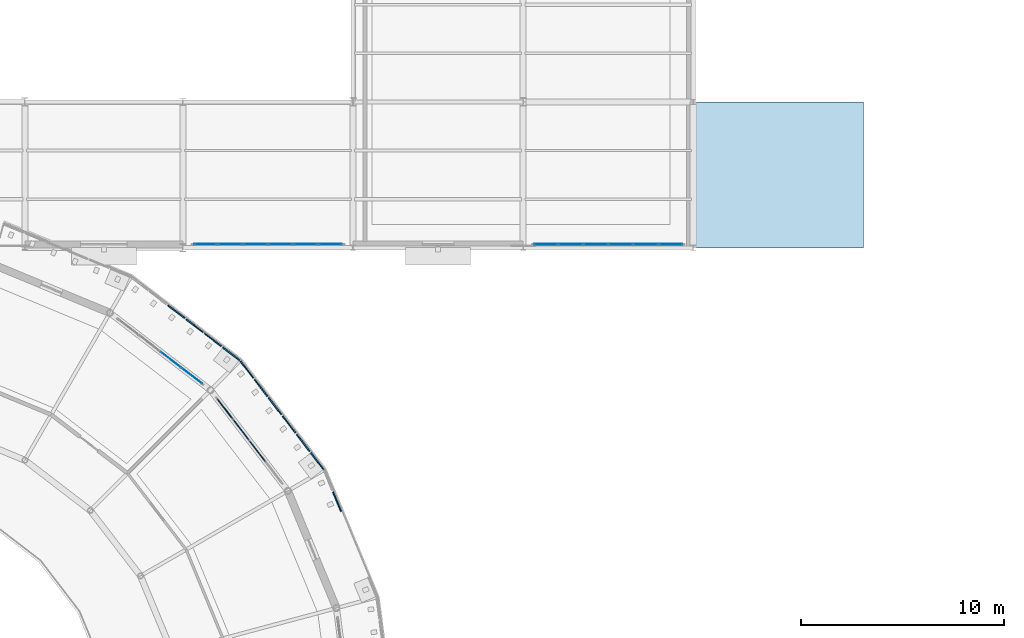
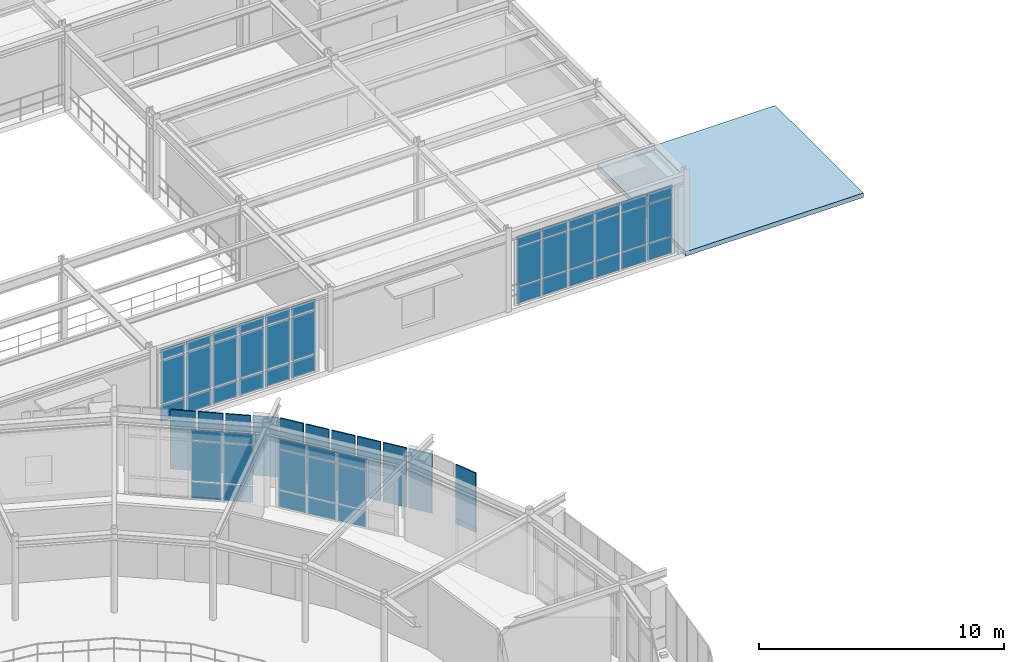
# One storey, part 65 of 90: 62 plates, 1 slab, 4 elements without a shape of their own.
"""IFC4 building model written with IfcOpenShell, lengths in metres."""

from ifc_helpers import new_model, si_unit, derived_unit, direction, frame, origin, origin_2d, place, context, subcontext, project, spatial, polyline, rectangle, outline, extrude, material, layer, layer_set, type_object, element, aggregate, save


model = new_model("IFC4")

# Units and contexts
model_context = context("Model", 3, precision=1e-05, world=origin(), true_north=direction((0.0, 1.0)))
body_context = subcontext(model_context, "Body", "Model", "MODEL_VIEW")
ifc_project = project(units=[si_unit("LENGTHUNIT", "METRE"), si_unit("AREAUNIT", "SQUARE_METRE"), si_unit("VOLUMEUNIT", "CUBIC_METRE"), si_unit("PLANEANGLEUNIT", "RADIAN"), si_unit("MASSUNIT", "GRAM", prefix="KILO"), derived_unit("THERMALTRANSMITTANCEUNIT", [(si_unit("POWERUNIT", "WATT"), 1), (si_unit("AREAUNIT", "SQUARE_METRE"), -1), (si_unit("THERMODYNAMICTEMPERATUREUNIT", "KELVIN"), -1)])], contexts=[model_context])

# Site, building, storey
site_placement = place(None, origin())
site = spatial("IfcSite", under=ifc_project, at=site_placement, CompositionType="ELEMENT")
building_placement = place(site_placement, origin())
building = spatial("IfcBuilding", under=site, at=building_placement, Name="Yasenodar Specialist Clinic", CompositionType="ELEMENT")
storey_placement = place(building_placement, frame((0.0, 0.0, 9.0)))
storey = spatial("IfcBuildingStorey", under=building, at=storey_placement, Name="L02", CompositionType="ELEMENT", Elevation=9.0)

# Curtain wall, plates
ifc_material_1 = material(Name="Bronze Anodized Aluminium and Triple Low-E Glass", Category="aluminium")
ifc_layer_1 = layer(ifc_material_1, 0.1669921875)
ifc_layer_set_1 = layer_set([ifc_layer_1], Name="Bronze Anodized Aluminium and Triple Low-E Glass")
curtain_wall_type_1 = type_object("IfcCurtainWallType", Name="CW-SYS-01", PredefinedType="USERDEFINED", material=ifc_layer_set_1)
curtain_wall_1_placement = place(storey_placement, origin())
curtain_wall_1 = element("IfcCurtainWall", 1, at=curtain_wall_1_placement, inside=storey, type_object=curtain_wall_type_1, Name="L02 Unitised Curtain Wall 028", ObjectType="UNITISED CURTAIN WALL", PredefinedType="USERDEFINED")
ifc_material_2 = material(Name="Triple Low-E Argon Glazing", Category="glass")
ifc_layer_2 = layer(ifc_material_2, 0.028076171875)
ifc_layer_set_2 = layer_set([ifc_layer_2], Name="Triple Low-E Argon Glazing")
plate_type_1 = type_object("IfcPlateType", Name="CW-PAN-1", PredefinedType="CURTAIN_PANEL", material=ifc_layer_set_2)
plate_1_placement = place(storey_placement, frame((96.011474609375, 77.27392578125, 0.06005859375), z_axis=(0.0, 0.0, 1.0), x_axis=(0.793360558574, -0.608752021844, 0.0)))
plate_1 = element("IfcPlate", 2, at=plate_1_placement, type_object=plate_type_1, Name="CW-01 panel 3.1", PredefinedType="CURTAIN_PANEL", context=body_context, shape_type="SweptSolid", body=[
    extrude(rectangle(XDim=1.266357421875, YDim=0.028076171875, at=origin_2d()), origin(), (0.0, 0.0, 1.0), 0.81005859375),
])
plate_2_placement = place(storey_placement, frame((96.011474609375, 77.27392578125, 0.929931640625), z_axis=(0.0, 0.0, 1.0), x_axis=(0.793360558574, -0.608752021844, 0.0)))
plate_2 = element("IfcPlate", 3, at=plate_2_placement, type_object=plate_type_1, Name="CW-01 panel 3.2", PredefinedType="CURTAIN_PANEL", context=body_context, shape_type="SweptSolid", body=[
    extrude(rectangle(XDim=1.266357421875, YDim=0.028076171875, at=origin_2d()), origin(), (0.0, 0.0, 1.0), 1.97802734375),
])
plate_3_placement = place(storey_placement, frame((96.011474609375, 77.27392578125, 2.9677734375), z_axis=(0.0, 0.0, 1.0), x_axis=(0.793360558574, -0.608752021844, 0.0)))
plate_3 = element("IfcPlate", 4, at=plate_3_placement, type_object=plate_type_1, Name="CW-01 panel 3.3", PredefinedType="CURTAIN_PANEL", context=body_context, shape_type="SweptSolid", body=[
    extrude(rectangle(XDim=1.266357421875, YDim=0.028076171875, at=origin_2d()), origin(), (0.0, 0.0, 1.0), 0.510009765625),
])
plate_4_placement = place(storey_placement, frame((97.0517578125, 76.4755859375, 0.06005859375), z_axis=(0.0, 0.0, 1.0), x_axis=(0.793360558574, -0.608752021844, 0.0)))
plate_4 = element("IfcPlate", 5, at=plate_4_placement, type_object=plate_type_1, Name="CW-01 panel 4.1", PredefinedType="CURTAIN_PANEL", context=body_context, shape_type="SweptSolid", body=[
    extrude(rectangle(XDim=1.236328125, YDim=0.028076171875, at=origin_2d()), origin(), (0.0, 0.0, 1.0), 0.81005859375),
])
plate_5_placement = place(storey_placement, frame((97.0517578125, 76.4755859375, 0.929931640625), z_axis=(0.0, 0.0, 1.0), x_axis=(0.793360558574, -0.608752021844, 0.0)))
plate_5 = element("IfcPlate", 6, at=plate_5_placement, type_object=plate_type_1, Name="CW-01 panel 4.2", PredefinedType="CURTAIN_PANEL", context=body_context, shape_type="SweptSolid", body=[
    extrude(rectangle(XDim=1.236328125, YDim=0.028076171875, at=origin_2d()), origin(), (0.0, 0.0, 1.0), 1.97802734375),
])
plate_6_placement = place(storey_placement, frame((97.0517578125, 76.4755859375, 2.9677734375), z_axis=(0.0, 0.0, 1.0), x_axis=(0.793360558574, -0.608752021844, 0.0)))
plate_6 = element("IfcPlate", 7, at=plate_6_placement, type_object=plate_type_1, Name="CW-01 panel 4.3", PredefinedType="CURTAIN_PANEL", context=body_context, shape_type="SweptSolid", body=[
    extrude(rectangle(XDim=1.236328125, YDim=0.028076171875, at=origin_2d()), origin(), (0.0, 0.0, 1.0), 0.510009765625),
])
aggregate(curtain_wall_1, [plate_1, plate_2, plate_3, plate_4, plate_5, plate_6])

ifc_layer_3 = layer(ifc_material_1, 0.215087890625)
ifc_layer_set_3 = layer_set([ifc_layer_3], Name="Bronze Anodized Aluminium and Triple Low-E Glass")
curtain_wall_type_2 = type_object("IfcCurtainWallType", Name="CW-SYS-05", PredefinedType="USERDEFINED", material=ifc_layer_set_3)
curtain_wall_2_placement = place(storey_placement, origin())
curtain_wall_2 = element("IfcCurtainWall", 8, at=curtain_wall_2_placement, inside=storey, type_object=curtain_wall_type_2, Name="L02 Unitised Curtain Wall 154", ObjectType="UNITISED CURTAIN WALL", PredefinedType="USERDEFINED")
ifc_layer_4 = layer(ifc_material_2, 0.0400390625)
ifc_layer_set_4 = layer_set([ifc_layer_4], Name="Triple Low-E Argon Glazing")
plate_type_2 = type_object("IfcPlateType", Name="CW-PAN-3", PredefinedType="CURTAIN_PANEL", material=ifc_layer_set_4)
plate_7_placement = place(storey_placement, frame((120.68505859375, 82.969970703125, 0.06005859375), z_axis=(0.0, 0.0, 1.0), x_axis=(-1.0, 0.0, 0.0)))
plate_7 = element("IfcPlate", 9, at=plate_7_placement, type_object=plate_type_2, Name="CW-05 panel 1.1", PredefinedType="CURTAIN_PANEL", context=body_context, shape_type="SweptSolid", body=[
    extrude(rectangle(XDim=1.14990234375, YDim=0.0400390625, at=origin_2d()), origin(), (0.0, 0.0, 1.0), 0.81005859375),
])
plate_8_placement = place(storey_placement, frame((120.68505859375, 82.969970703125, 0.929931640625), z_axis=(0.0, 0.0, 1.0), x_axis=(-1.0, 0.0, 0.0)))
plate_8 = element("IfcPlate", 10, at=plate_8_placement, type_object=plate_type_2, Name="CW-05 panel 1.2", PredefinedType="CURTAIN_PANEL", context=body_context, shape_type="SweptSolid", body=[
    extrude(rectangle(XDim=1.14990234375, YDim=0.0400390625, at=origin_2d()), origin(), (0.0, 0.0, 1.0), 1.91796875),
])
plate_9_placement = place(storey_placement, frame((120.68505859375, 82.969970703125, 2.908203125), z_axis=(0.0, 0.0, 1.0), x_axis=(-1.0, 0.0, 0.0)))
plate_9 = element("IfcPlate", 11, at=plate_9_placement, type_object=plate_type_2, Name="CW-05 panel 1.3", PredefinedType="CURTAIN_PANEL", context=body_context, shape_type="SweptSolid", body=[
    extrude(rectangle(XDim=1.14990234375, YDim=0.0400390625, at=origin_2d()), origin(), (0.0, 0.0, 1.0), 0.510009765625),
])
plate_10_placement = place(storey_placement, frame((119.4599609375, 82.969970703125, 0.06005859375), z_axis=(0.0, 0.0, 1.0), x_axis=(-1.0, 0.0, 0.0)))
plate_10 = element("IfcPlate", 12, at=plate_10_placement, type_object=plate_type_2, Name="CW-05 panel 2.1", PredefinedType="CURTAIN_PANEL", context=body_context, shape_type="SweptSolid", body=[
    extrude(rectangle(XDim=1.179931640625, YDim=0.0400390625, at=origin_2d()), origin(), (0.0, 0.0, 1.0), 0.81005859375),
])
plate_11_placement = place(storey_placement, frame((119.4599609375, 82.969970703125, 0.929931640625), z_axis=(0.0, 0.0, 1.0), x_axis=(-1.0, 0.0, 0.0)))
plate_11 = element("IfcPlate", 13, at=plate_11_placement, type_object=plate_type_2, Name="CW-05 panel 2.2", PredefinedType="CURTAIN_PANEL", context=body_context, shape_type="SweptSolid", body=[
    extrude(rectangle(XDim=1.179931640625, YDim=0.0400390625, at=origin_2d()), origin(), (0.0, 0.0, 1.0), 1.91796875),
])
plate_12_placement = place(storey_placement, frame((119.4599609375, 82.969970703125, 2.908203125), z_axis=(0.0, 0.0, 1.0), x_axis=(-1.0, 0.0, 0.0)))
plate_12 = element("IfcPlate", 14, at=plate_12_placement, type_object=plate_type_2, Name="CW-05 panel 2.3", PredefinedType="CURTAIN_PANEL", context=body_context, shape_type="SweptSolid", body=[
    extrude(rectangle(XDim=1.179931640625, YDim=0.0400390625, at=origin_2d()), origin(), (0.0, 0.0, 1.0), 0.510009765625),
])
plate_13_placement = place(storey_placement, frame((118.219970703125, 82.969970703125, 0.06005859375), z_axis=(0.0, 0.0, 1.0), x_axis=(-1.0, 0.0, 0.0)))
plate_13 = element("IfcPlate", 15, at=plate_13_placement, type_object=plate_type_2, Name="CW-05 panel 3.1", PredefinedType="CURTAIN_PANEL", context=body_context, shape_type="SweptSolid", body=[
    extrude(rectangle(XDim=1.179931640625, YDim=0.0400390625, at=origin_2d()), origin(), (0.0, 0.0, 1.0), 0.81005859375),
])
plate_14_placement = place(storey_placement, frame((118.219970703125, 82.969970703125, 0.929931640625), z_axis=(0.0, 0.0, 1.0), x_axis=(-1.0, 0.0, 0.0)))
plate_14 = element("IfcPlate", 16, at=plate_14_placement, type_object=plate_type_2, Name="CW-05 panel 3.2", PredefinedType="CURTAIN_PANEL", context=body_context, shape_type="SweptSolid", body=[
    extrude(rectangle(XDim=1.179931640625, YDim=0.0400390625, at=origin_2d()), origin(), (0.0, 0.0, 1.0), 1.91796875),
])
plate_15_placement = place(storey_placement, frame((118.219970703125, 82.969970703125, 2.908203125), z_axis=(0.0, 0.0, 1.0), x_axis=(-1.0, 0.0, 0.0)))
plate_15 = element("IfcPlate", 17, at=plate_15_placement, type_object=plate_type_2, Name="CW-05 panel 3.3", PredefinedType="CURTAIN_PANEL", context=body_context, shape_type="SweptSolid", body=[
    extrude(rectangle(XDim=1.179931640625, YDim=0.0400390625, at=origin_2d()), origin(), (0.0, 0.0, 1.0), 0.510009765625),
])
plate_16_placement = place(storey_placement, frame((116.97998046875, 82.969970703125, 0.06005859375), z_axis=(0.0, 0.0, 1.0), x_axis=(-1.0, 0.0, 0.0)))
plate_16 = element("IfcPlate", 18, at=plate_16_placement, type_object=plate_type_2, Name="CW-05 panel 4.1", PredefinedType="CURTAIN_PANEL", context=body_context, shape_type="SweptSolid", body=[
    extrude(rectangle(XDim=1.179931640625, YDim=0.0400390625, at=origin_2d()), origin(), (0.0, 0.0, 1.0), 0.81005859375),
])
plate_17_placement = place(storey_placement, frame((116.97998046875, 82.969970703125, 0.929931640625), z_axis=(0.0, 0.0, 1.0), x_axis=(-1.0, 0.0, 0.0)))
plate_17 = element("IfcPlate", 19, at=plate_17_placement, type_object=plate_type_2, Name="CW-05 panel 4.2", PredefinedType="CURTAIN_PANEL", context=body_context, shape_type="SweptSolid", body=[
    extrude(rectangle(XDim=1.179931640625, YDim=0.0400390625, at=origin_2d()), origin(), (0.0, 0.0, 1.0), 1.91796875),
])
plate_18_placement = place(storey_placement, frame((116.97998046875, 82.969970703125, 2.908203125), z_axis=(0.0, 0.0, 1.0), x_axis=(-1.0, 0.0, 0.0)))
plate_18 = element("IfcPlate", 20, at=plate_18_placement, type_object=plate_type_2, Name="CW-05 panel 4.3", PredefinedType="CURTAIN_PANEL", context=body_context, shape_type="SweptSolid", body=[
    extrude(rectangle(XDim=1.179931640625, YDim=0.0400390625, at=origin_2d()), origin(), (0.0, 0.0, 1.0), 0.510009765625),
])
plate_19_placement = place(storey_placement, frame((115.739990234375, 82.969970703125, 0.06005859375), z_axis=(0.0, 0.0, 1.0), x_axis=(-1.0, 0.0, 0.0)))
plate_19 = element("IfcPlate", 21, at=plate_19_placement, type_object=plate_type_2, Name="CW-05 panel 5.1", PredefinedType="CURTAIN_PANEL", context=body_context, shape_type="SweptSolid", body=[
    extrude(rectangle(XDim=1.179931640625, YDim=0.0400390625, at=origin_2d()), origin(), (0.0, 0.0, 1.0), 0.81005859375),
])
plate_20_placement = place(storey_placement, frame((115.739990234375, 82.969970703125, 0.929931640625), z_axis=(0.0, 0.0, 1.0), x_axis=(-1.0, 0.0, 0.0)))
plate_20 = element("IfcPlate", 22, at=plate_20_placement, type_object=plate_type_2, Name="CW-05 panel 5.2", PredefinedType="CURTAIN_PANEL", context=body_context, shape_type="SweptSolid", body=[
    extrude(rectangle(XDim=1.179931640625, YDim=0.0400390625, at=origin_2d()), origin(), (0.0, 0.0, 1.0), 1.91796875),
])
plate_21_placement = place(storey_placement, frame((115.739990234375, 82.969970703125, 2.908203125), z_axis=(0.0, 0.0, 1.0), x_axis=(-1.0, 0.0, 0.0)))
plate_21 = element("IfcPlate", 23, at=plate_21_placement, type_object=plate_type_2, Name="CW-05 panel 5.3", PredefinedType="CURTAIN_PANEL", context=body_context, shape_type="SweptSolid", body=[
    extrude(rectangle(XDim=1.179931640625, YDim=0.0400390625, at=origin_2d()), origin(), (0.0, 0.0, 1.0), 0.510009765625),
])
plate_22_placement = place(storey_placement, frame((114.514892578125, 82.969970703125, 0.06005859375), z_axis=(0.0, 0.0, 1.0), x_axis=(-1.0, 0.0, 0.0)))
plate_22 = element("IfcPlate", 24, at=plate_22_placement, type_object=plate_type_2, Name="CW-05 panel 6.1", PredefinedType="CURTAIN_PANEL", context=body_context, shape_type="SweptSolid", body=[
    extrude(rectangle(XDim=1.14990234375, YDim=0.0400390625, at=origin_2d()), origin(), (0.0, 0.0, 1.0), 0.81005859375),
])
plate_23_placement = place(storey_placement, frame((114.514892578125, 82.969970703125, 0.929931640625), z_axis=(0.0, 0.0, 1.0), x_axis=(-1.0, 0.0, 0.0)))
plate_23 = element("IfcPlate", 25, at=plate_23_placement, type_object=plate_type_2, Name="CW-05 panel 6.2", PredefinedType="CURTAIN_PANEL", context=body_context, shape_type="SweptSolid", body=[
    extrude(rectangle(XDim=1.14990234375, YDim=0.0400390625, at=origin_2d()), origin(), (0.0, 0.0, 1.0), 1.91796875),
])
plate_24_placement = place(storey_placement, frame((114.514892578125, 82.969970703125, 2.908203125), z_axis=(0.0, 0.0, 1.0), x_axis=(-1.0, 0.0, 0.0)))
plate_24 = element("IfcPlate", 26, at=plate_24_placement, type_object=plate_type_2, Name="CW-05 panel 6.3", PredefinedType="CURTAIN_PANEL", context=body_context, shape_type="SweptSolid", body=[
    extrude(rectangle(XDim=1.14990234375, YDim=0.0400390625, at=origin_2d()), origin(), (0.0, 0.0, 1.0), 0.510009765625),
])
aggregate(curtain_wall_2, [plate_7, plate_8, plate_9, plate_10, plate_11, plate_12, plate_13, plate_14, plate_15, plate_16, plate_17, plate_18, plate_19, plate_20, plate_21, plate_22, plate_23, plate_24])

curtain_wall_3_placement = place(storey_placement, origin())
curtain_wall_3 = element("IfcCurtainWall", 27, at=curtain_wall_3_placement, inside=storey, type_object=curtain_wall_type_1, Name="L02 Unitised Curtain Wall 027", ObjectType="UNITISED CURTAIN WALL", PredefinedType="USERDEFINED")
ifc_layer_5 = layer(ifc_material_2, 0.0458984375)
ifc_layer_set_5 = layer_set([ifc_layer_5], Name="Triple Low-E Argon Glazing")
plate_type_3 = type_object("IfcPlateType", Name="CW-PAN-4", PredefinedType="CURTAIN_PANEL", material=ifc_layer_set_5)
plate_25_placement = place(storey_placement, frame((98.675537109375, 74.851806640625, 0.06005859375), z_axis=(0.0, 0.0, 1.0), x_axis=(0.608752021844, -0.793360558574, 0.0)))
plate_25 = element("IfcPlate", 28, at=plate_25_placement, type_object=plate_type_3, Name="CW-01 panel 1.1", PredefinedType="CURTAIN_PANEL", context=body_context, shape_type="SweptSolid", body=[
    extrude(rectangle(XDim=1.236328125, YDim=0.0458984375, at=origin_2d()), origin(), (0.0, 0.0, 1.0), 0.81005859375),
])
plate_26_placement = place(storey_placement, frame((98.675537109375, 74.851806640625, 0.929931640625), z_axis=(0.0, 0.0, 1.0), x_axis=(0.608752021844, -0.793360558574, 0.0)))
plate_26 = element("IfcPlate", 29, at=plate_26_placement, type_object=plate_type_3, Name="CW-01 panel 1.2", PredefinedType="CURTAIN_PANEL", context=body_context, shape_type="SweptSolid", body=[
    extrude(rectangle(XDim=1.236328125, YDim=0.0458984375, at=origin_2d()), origin(), (0.0, 0.0, 1.0), 1.97802734375),
])
plate_27_placement = place(storey_placement, frame((98.675537109375, 74.851806640625, 2.9677734375), z_axis=(0.0, 0.0, 1.0), x_axis=(0.608752021844, -0.793360558574, 0.0)))
plate_27 = element("IfcPlate", 30, at=plate_27_placement, type_object=plate_type_3, Name="CW-01 panel 1.3", PredefinedType="CURTAIN_PANEL", context=body_context, shape_type="SweptSolid", body=[
    extrude(rectangle(XDim=1.236328125, YDim=0.0458984375, at=origin_2d()), origin(), (0.0, 0.0, 1.0), 0.510009765625),
])
plate_28_placement = place(storey_placement, frame((99.473876953125, 73.8115234375, 0.06005859375), z_axis=(0.0, 0.0, 1.0), x_axis=(0.608752021844, -0.793360558574, 0.0)))
plate_28 = element("IfcPlate", 31, at=plate_28_placement, type_object=plate_type_3, Name="CW-01 panel 2.1", PredefinedType="CURTAIN_PANEL", context=body_context, shape_type="SweptSolid", body=[
    extrude(rectangle(XDim=1.266357421875, YDim=0.0458984375, at=origin_2d()), origin(), (0.0, 0.0, 1.0), 0.81005859375),
])
plate_29_placement = place(storey_placement, frame((99.473876953125, 73.8115234375, 0.929931640625), z_axis=(0.0, 0.0, 1.0), x_axis=(0.608752021844, -0.793360558574, 0.0)))
plate_29 = element("IfcPlate", 32, at=plate_29_placement, type_object=plate_type_3, Name="CW-01 panel 2.2", PredefinedType="CURTAIN_PANEL", context=body_context, shape_type="SweptSolid", body=[
    extrude(rectangle(XDim=1.266357421875, YDim=0.0458984375, at=origin_2d()), origin(), (0.0, 0.0, 1.0), 1.97802734375),
])
plate_30_placement = place(storey_placement, frame((99.473876953125, 73.8115234375, 2.9677734375), z_axis=(0.0, 0.0, 1.0), x_axis=(0.608752021844, -0.793360558574, 0.0)))
plate_30 = element("IfcPlate", 33, at=plate_30_placement, type_object=plate_type_3, Name="CW-01 panel 2.3", PredefinedType="CURTAIN_PANEL", context=body_context, shape_type="SweptSolid", body=[
    extrude(rectangle(XDim=1.266357421875, YDim=0.0458984375, at=origin_2d()), origin(), (0.0, 0.0, 1.0), 0.510009765625),
])
plate_31_placement = place(storey_placement, frame((100.28125, 72.75927734375, 0.06005859375), z_axis=(0.0, 0.0, 1.0), x_axis=(0.608752021844, -0.793360558574, 0.0)))
plate_31 = element("IfcPlate", 34, at=plate_31_placement, type_object=plate_type_3, Name="CW-01 panel 3.1", PredefinedType="CURTAIN_PANEL", context=body_context, shape_type="SweptSolid", body=[
    extrude(rectangle(XDim=1.266357421875, YDim=0.0458984375, at=origin_2d()), origin(), (0.0, 0.0, 1.0), 0.81005859375),
])
plate_32_placement = place(storey_placement, frame((100.28125, 72.75927734375, 0.929931640625), z_axis=(0.0, 0.0, 1.0), x_axis=(0.608752021844, -0.793360558574, 0.0)))
plate_32 = element("IfcPlate", 35, at=plate_32_placement, type_object=plate_type_3, Name="CW-01 panel 3.2", PredefinedType="CURTAIN_PANEL", context=body_context, shape_type="SweptSolid", body=[
    extrude(rectangle(XDim=1.266357421875, YDim=0.0458984375, at=origin_2d()), origin(), (0.0, 0.0, 1.0), 1.97802734375),
])
plate_33_placement = place(storey_placement, frame((100.28125, 72.75927734375, 2.9677734375), z_axis=(0.0, 0.0, 1.0), x_axis=(0.608752021844, -0.793360558574, 0.0)))
plate_33 = element("IfcPlate", 36, at=plate_33_placement, type_object=plate_type_3, Name="CW-01 panel 3.3", PredefinedType="CURTAIN_PANEL", context=body_context, shape_type="SweptSolid", body=[
    extrude(rectangle(XDim=1.266357421875, YDim=0.0458984375, at=origin_2d()), origin(), (0.0, 0.0, 1.0), 0.510009765625),
])
aggregate(curtain_wall_3, [plate_25, plate_26, plate_27, plate_28, plate_29, plate_30, plate_31, plate_32, plate_33])

curtain_wall_4_placement = place(storey_placement, origin())
curtain_wall_4 = element("IfcCurtainWall", 37, at=curtain_wall_4_placement, inside=storey, type_object=curtain_wall_type_2, Name="L02 Unitised Curtain Wall 155", ObjectType="UNITISED CURTAIN WALL", PredefinedType="USERDEFINED")
plate_34_placement = place(storey_placement, frame((103.88134765625, 82.969970703125, 0.074951171875), z_axis=(0.0, 0.0, 1.0), x_axis=(-1.0, 0.0, 0.0)))
plate_34 = element("IfcPlate", 38, at=plate_34_placement, type_object=plate_type_3, Name="CW-05 panel 1.1", PredefinedType="CURTAIN_PANEL", context=body_context, shape_type="SweptSolid", body=[
    extrude(rectangle(XDim=1.12744140625, YDim=0.0458984375, at=origin_2d()), origin(), (0.0, 0.0, 1.0), 0.78759765625),
])
plate_35_placement = place(storey_placement, frame((103.88134765625, 82.969970703125, 0.9375), z_axis=(0.0, 0.0, 1.0), x_axis=(-1.0, 0.0, 0.0)))
plate_35 = element("IfcPlate", 39, at=plate_35_placement, type_object=plate_type_3, Name="CW-05 panel 1.2", PredefinedType="CURTAIN_PANEL", context=body_context, shape_type="SweptSolid", body=[
    extrude(rectangle(XDim=1.12744140625, YDim=0.0458984375, at=origin_2d()), origin(), (0.0, 0.0, 1.0), 2.14306640625),
])
plate_36_placement = place(storey_placement, frame((103.88134765625, 82.969970703125, 3.1552734375), z_axis=(0.0, 0.0, 1.0), x_axis=(-1.0, 0.0, 0.0)))
plate_36 = element("IfcPlate", 40, at=plate_36_placement, type_object=plate_type_3, Name="CW-05 panel 1.3", PredefinedType="CURTAIN_PANEL", context=body_context, shape_type="SweptSolid", body=[
    extrude(rectangle(XDim=1.12744140625, YDim=0.0458984375, at=origin_2d()), origin(), (0.0, 0.0, 1.0), 0.487548828125),
])
plate_37_placement = place(storey_placement, frame((102.659912109375, 82.969970703125, 0.074951171875), z_axis=(0.0, 0.0, 1.0), x_axis=(-1.0, 0.0, 0.0)))
plate_37 = element("IfcPlate", 41, at=plate_37_placement, type_object=plate_type_3, Name="CW-05 panel 2.1", PredefinedType="CURTAIN_PANEL", context=body_context, shape_type="SweptSolid", body=[
    extrude(rectangle(XDim=1.1650390625, YDim=0.0458984375, at=origin_2d()), origin(), (0.0, 0.0, 1.0), 0.78759765625),
])
plate_38_placement = place(storey_placement, frame((102.659912109375, 82.969970703125, 0.9375), z_axis=(0.0, 0.0, 1.0), x_axis=(-1.0, 0.0, 0.0)))
plate_38 = element("IfcPlate", 42, at=plate_38_placement, type_object=plate_type_3, Name="CW-05 panel 2.2", PredefinedType="CURTAIN_PANEL", context=body_context, shape_type="SweptSolid", body=[
    extrude(rectangle(XDim=1.1650390625, YDim=0.0458984375, at=origin_2d()), origin(), (0.0, 0.0, 1.0), 2.14306640625),
])
plate_39_placement = place(storey_placement, frame((102.659912109375, 82.969970703125, 3.1552734375), z_axis=(0.0, 0.0, 1.0), x_axis=(-1.0, 0.0, 0.0)))
plate_39 = element("IfcPlate", 43, at=plate_39_placement, type_object=plate_type_3, Name="CW-05 panel 2.3", PredefinedType="CURTAIN_PANEL", context=body_context, shape_type="SweptSolid", body=[
    extrude(rectangle(XDim=1.1650390625, YDim=0.0458984375, at=origin_2d()), origin(), (0.0, 0.0, 1.0), 0.487548828125),
])
plate_40_placement = place(storey_placement, frame((101.419921875, 82.969970703125, 0.074951171875), z_axis=(0.0, 0.0, 1.0), x_axis=(-1.0, 0.0, 0.0)))
plate_40 = element("IfcPlate", 44, at=plate_40_placement, type_object=plate_type_3, Name="CW-05 panel 3.1", PredefinedType="CURTAIN_PANEL", context=body_context, shape_type="SweptSolid", body=[
    extrude(rectangle(XDim=1.1650390625, YDim=0.0458984375, at=origin_2d()), origin(), (0.0, 0.0, 1.0), 0.78759765625),
])
plate_41_placement = place(storey_placement, frame((101.419921875, 82.969970703125, 0.9375), z_axis=(0.0, 0.0, 1.0), x_axis=(-1.0, 0.0, 0.0)))
plate_41 = element("IfcPlate", 45, at=plate_41_placement, type_object=plate_type_3, Name="CW-05 panel 3.2", PredefinedType="CURTAIN_PANEL", context=body_context, shape_type="SweptSolid", body=[
    extrude(rectangle(XDim=1.1650390625, YDim=0.0458984375, at=origin_2d()), origin(), (0.0, 0.0, 1.0), 2.14306640625),
])
plate_42_placement = place(storey_placement, frame((101.419921875, 82.969970703125, 3.1552734375), z_axis=(0.0, 0.0, 1.0), x_axis=(-1.0, 0.0, 0.0)))
plate_42 = element("IfcPlate", 46, at=plate_42_placement, type_object=plate_type_3, Name="CW-05 panel 3.3", PredefinedType="CURTAIN_PANEL", context=body_context, shape_type="SweptSolid", body=[
    extrude(rectangle(XDim=1.1650390625, YDim=0.0458984375, at=origin_2d()), origin(), (0.0, 0.0, 1.0), 0.487548828125),
])
plate_43_placement = place(storey_placement, frame((100.179931640625, 82.969970703125, 0.074951171875), z_axis=(0.0, 0.0, 1.0), x_axis=(-1.0, 0.0, 0.0)))
plate_43 = element("IfcPlate", 47, at=plate_43_placement, type_object=plate_type_3, Name="CW-05 panel 4.1", PredefinedType="CURTAIN_PANEL", context=body_context, shape_type="SweptSolid", body=[
    extrude(rectangle(XDim=1.1650390625, YDim=0.0458984375, at=origin_2d()), origin(), (0.0, 0.0, 1.0), 0.78759765625),
])
plate_44_placement = place(storey_placement, frame((100.179931640625, 82.969970703125, 0.9375), z_axis=(0.0, 0.0, 1.0), x_axis=(-1.0, 0.0, 0.0)))
plate_44 = element("IfcPlate", 48, at=plate_44_placement, type_object=plate_type_3, Name="CW-05 panel 4.2", PredefinedType="CURTAIN_PANEL", context=body_context, shape_type="SweptSolid", body=[
    extrude(rectangle(XDim=1.1650390625, YDim=0.0458984375, at=origin_2d()), origin(), (0.0, 0.0, 1.0), 2.14306640625),
])
plate_45_placement = place(storey_placement, frame((100.179931640625, 82.969970703125, 3.1552734375), z_axis=(0.0, 0.0, 1.0), x_axis=(-1.0, 0.0, 0.0)))
plate_45 = element("IfcPlate", 49, at=plate_45_placement, type_object=plate_type_3, Name="CW-05 panel 4.3", PredefinedType="CURTAIN_PANEL", context=body_context, shape_type="SweptSolid", body=[
    extrude(rectangle(XDim=1.1650390625, YDim=0.0458984375, at=origin_2d()), origin(), (0.0, 0.0, 1.0), 0.487548828125),
])
plate_46_placement = place(storey_placement, frame((98.93994140625, 82.969970703125, 0.074951171875), z_axis=(0.0, 0.0, 1.0), x_axis=(-1.0, 0.0, 0.0)))
plate_46 = element("IfcPlate", 50, at=plate_46_placement, type_object=plate_type_3, Name="CW-05 panel 5.1", PredefinedType="CURTAIN_PANEL", context=body_context, shape_type="SweptSolid", body=[
    extrude(rectangle(XDim=1.1650390625, YDim=0.0458984375, at=origin_2d()), origin(), (0.0, 0.0, 1.0), 0.78759765625),
])
plate_47_placement = place(storey_placement, frame((98.93994140625, 82.969970703125, 0.9375), z_axis=(0.0, 0.0, 1.0), x_axis=(-1.0, 0.0, 0.0)))
plate_47 = element("IfcPlate", 51, at=plate_47_placement, type_object=plate_type_3, Name="CW-05 panel 5.2", PredefinedType="CURTAIN_PANEL", context=body_context, shape_type="SweptSolid", body=[
    extrude(rectangle(XDim=1.1650390625, YDim=0.0458984375, at=origin_2d()), origin(), (0.0, 0.0, 1.0), 2.14306640625),
])
plate_48_placement = place(storey_placement, frame((98.93994140625, 82.969970703125, 3.1552734375), z_axis=(0.0, 0.0, 1.0), x_axis=(-1.0, 0.0, 0.0)))
plate_48 = element("IfcPlate", 52, at=plate_48_placement, type_object=plate_type_3, Name="CW-05 panel 5.3", PredefinedType="CURTAIN_PANEL", context=body_context, shape_type="SweptSolid", body=[
    extrude(rectangle(XDim=1.1650390625, YDim=0.0458984375, at=origin_2d()), origin(), (0.0, 0.0, 1.0), 0.487548828125),
])
plate_49_placement = place(storey_placement, frame((97.71875, 82.969970703125, 0.074951171875), z_axis=(0.0, 0.0, 1.0), x_axis=(-1.0, 0.0, 0.0)))
plate_49 = element("IfcPlate", 53, at=plate_49_placement, type_object=plate_type_3, Name="CW-05 panel 6.1", PredefinedType="CURTAIN_PANEL", context=body_context, shape_type="SweptSolid", body=[
    extrude(rectangle(XDim=1.12744140625, YDim=0.0458984375, at=origin_2d()), origin(), (0.0, 0.0, 1.0), 0.78759765625),
])
plate_50_placement = place(storey_placement, frame((97.71875, 82.969970703125, 0.9375), z_axis=(0.0, 0.0, 1.0), x_axis=(-1.0, 0.0, 0.0)))
plate_50 = element("IfcPlate", 54, at=plate_50_placement, type_object=plate_type_3, Name="CW-05 panel 6.2", PredefinedType="CURTAIN_PANEL", context=body_context, shape_type="SweptSolid", body=[
    extrude(rectangle(XDim=1.12744140625, YDim=0.0458984375, at=origin_2d()), origin(), (0.0, 0.0, 1.0), 2.14306640625),
])
plate_51_placement = place(storey_placement, frame((97.71875, 82.969970703125, 3.1552734375), z_axis=(0.0, 0.0, 1.0), x_axis=(-1.0, 0.0, 0.0)))
plate_51 = element("IfcPlate", 55, at=plate_51_placement, type_object=plate_type_3, Name="CW-05 panel 6.3", PredefinedType="CURTAIN_PANEL", context=body_context, shape_type="SweptSolid", body=[
    extrude(rectangle(XDim=1.12744140625, YDim=0.0458984375, at=origin_2d()), origin(), (0.0, 0.0, 1.0), 0.487548828125),
])
aggregate(curtain_wall_4, [plate_34, plate_35, plate_36, plate_37, plate_38, plate_39, plate_40, plate_41, plate_42, plate_43, plate_44, plate_45, plate_46, plate_47, plate_48, plate_49, plate_50, plate_51])

# Plates
ifc_material_3 = material(Name="Thermally Modified Larch and Bronze Girih Jali Screen")
ifc_layer_6 = layer(ifc_material_3, 0.06494140625)
ifc_layer_set_6 = layer_set([ifc_layer_6], Name="Thermally Modified Larch and Bronze Girih Jali Screen")
plate_type_4 = type_object("IfcPlateType", Name="PL-JALI-850", PredefinedType="USERDEFINED", material=ifc_layer_set_6)
for number, where, z_axis, x_axis, name in (
    (56, (104.21484375, 70.2666015625, 0.0048828125), (0.0, 0.0, 1.0), (-0.382686667195, 0.923878192594, 0.0), "L02 Sliding Timber-Bronze Jali Shutter Screen 0116"),
    (57, (103.23193359375, 72.26708984375, 0.0048828125), (0.0, 0.0, 1.0), (-0.608764217148, 0.793351200869, 0.0), "L02 Sliding Timber-Bronze Jali Shutter Screen 0118"),
    (58, (102.537841796875, 73.17138671875, 0.0048828125), (0.0, 0.0, 1.0), (-0.608764217148, 0.793351200869, 0.0), "L02 Sliding Timber-Bronze Jali Shutter Screen 0119"),
    (59, (101.843994140625, 74.07568359375, 0.0048828125), (0.0, 0.0, 1.0), (-0.608764217148, 0.793351200869, 0.0), "L02 Sliding Timber-Bronze Jali Shutter Screen 0120"),
    (60, (101.14990234375, 74.97998046875, 0.0048828125), (0.0, 0.0, 1.0), (-0.608764217148, 0.793351200869, 0.0), "L02 Sliding Timber-Bronze Jali Shutter Screen 0121"),
    (61, (100.4560546875, 75.884521484375, 0.0048828125), (0.0, 0.0, 1.0), (-0.608764217148, 0.793351200869, 0.0), "L02 Sliding Timber-Bronze Jali Shutter Screen 0122"),
    (62, (99.76220703125, 76.788818359375, 0.0048828125), (0.0, 0.0, 1.0), (-0.608764217148, 0.793351200869, 0.0), "L02 Sliding Timber-Bronze Jali Shutter Screen 0123"),
    (63, (98.98876953125, 77.56201171875, 0.0048828125), (0.0, 0.0, 1.0), (-0.793351200869, 0.608764217148, 0.0), "L02 Sliding Timber-Bronze Jali Shutter Screen 0124"),
    (64, (98.08447265625, 78.256103515625, 0.0048828125), (0.0, 0.0, 1.0), (-0.793351200869, 0.608764217148, 0.0), "L02 Sliding Timber-Bronze Jali Shutter Screen 0125"),
    (65, (97.18017578125, 78.949951171875, 0.0048828125), (0.0, 0.0, 1.0), (-0.793351200869, 0.608764217148, 0.0), "L02 Sliding Timber-Bronze Jali Shutter Screen 0126"),
    (66, (96.275634765625, 79.64404296875, 0.0048828125), (0.0, 0.0, 1.0), (-0.793351200869, 0.608764217148, 0.0), "L02 Sliding Timber-Bronze Jali Shutter Screen 0127"),
):
    element("IfcPlate", number, at=place(storey_placement, frame(where, z_axis=z_axis, x_axis=x_axis)), inside=storey, type_object=plate_type_4, Name=name, ObjectType="SCREEN_PANEL", PredefinedType="USERDEFINED", context=body_context, shape_type="SweptSolid", body=[
        extrude(rectangle(XDim=1.0400390625, YDim=0.06494140625, at=origin_2d()), origin(), (0.0, 0.0, 1.0), 2.949951171875),
    ])

# Slab
ifc_material_4 = material(Name="Concrete C30/37", Category="concrete")
ifc_layer_7 = layer(ifc_material_4, 0.22509765625)
ifc_layer_set_7 = layer_set([ifc_layer_7], Name="Concrete C30/37")
slab_type = type_object("IfcSlabType", Name="SLB-ROOF-225", PredefinedType="ROOF", material=ifc_layer_set_7)
slab_placement = place(storey_placement, frame((0.0, 0.0, -0.22509765625)))
element("IfcSlab", 67, at=slab_placement, inside=storey, type_object=slab_type, Name="V5 Ramp Headhouse Roof Slab", PredefinedType="ROOF", context=body_context, shape_type="SweptSolid", body=[
    extrude(outline(polyline([(130.199951171875, 90.0), (130.199951171875, 82.800048828125), (121.81494140625, 82.800048828125), (121.81494140625, 90.0), (130.199951171875, 90.0)])), origin(), (0.0, 0.0, 1.0), 0.22509765625),
])

save(model, "model.ifc")
